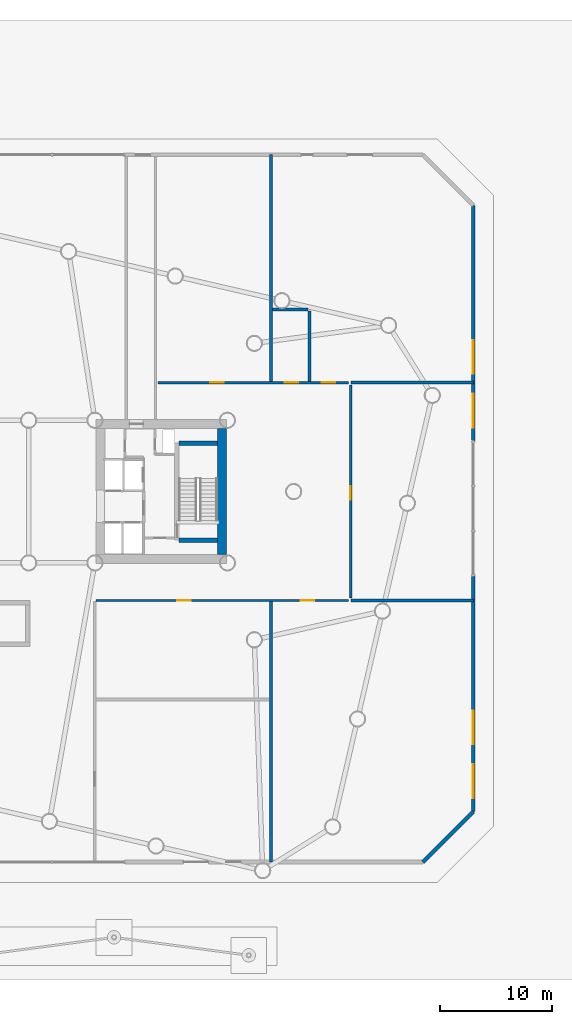
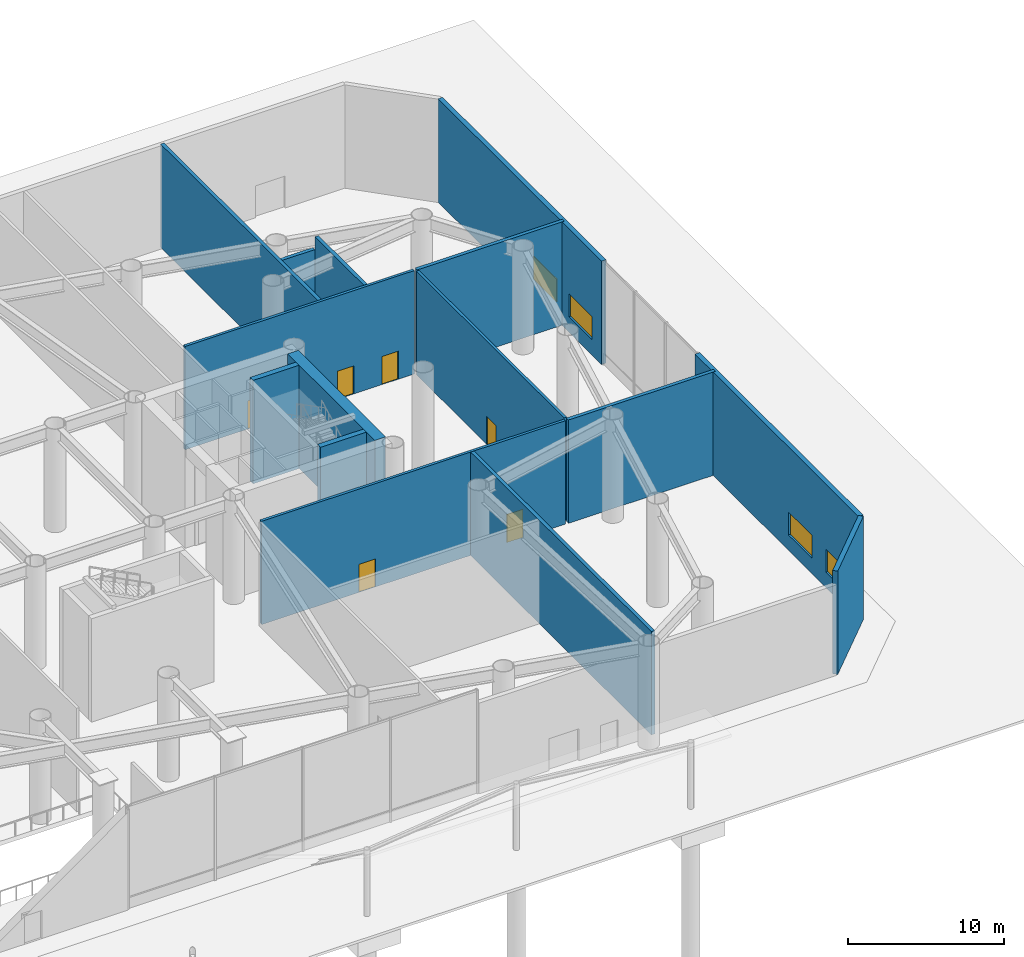
# One storey, part 23 of 28: 15 walls, 6 doors, 4 windows, 10 openings.
"""IFC4 building model written with IfcOpenShell, lengths in metres."""

from ifc_helpers import new_model, si_unit, direction, frame, frame_2d, origin, place, context, subcontext, project, spatial, rectangle, extrude, material, layer, layer_set, type_object, element, fill, save


model = new_model("IFC4")

# Units and contexts
model_context = context("Model", 3, precision=1e-05, world=origin(), true_north=direction((0.0, 1.0)))
body_context = subcontext(model_context, "Body", "Model", "MODEL_VIEW")
ifc_project = project(units=[si_unit("LENGTHUNIT", "METRE"), si_unit("AREAUNIT", "SQUARE_METRE"), si_unit("VOLUMEUNIT", "CUBIC_METRE"), si_unit("PLANEANGLEUNIT", "RADIAN"), si_unit("MASSUNIT", "GRAM", prefix="KILO")], contexts=[model_context])

# Site, building, storey
site_placement = place(None, origin())
site = spatial("IfcSite", under=ifc_project, at=site_placement, CompositionType="ELEMENT")
building_placement = place(site_placement, origin())
building = spatial("IfcBuilding", under=site, at=building_placement, Name="Tavrogorsk Clinical Tower", CompositionType="ELEMENT")
storey_placement = place(building_placement, origin())
storey = spatial("IfcBuildingStorey", under=building, at=storey_placement, Name="L00", CompositionType="ELEMENT", Elevation=0.0)

# Wall, openings, doors
ifc_material_1 = material(Name="Concrete B60", Category="concrete")
ifc_layer_1 = layer(ifc_material_1, 0.199951171875)
ifc_layer_set_1 = layer_set([ifc_layer_1], Name="Concrete B60")
wall_type_1 = type_object("IfcWallType", Name="CoreFireWall_200", PredefinedType="SOLIDWALL", material=ifc_layer_set_1)
wall_1_placement = place(storey_placement, frame((15.905029296875, 9.699951171875, 0.0), z_axis=(0.0, 0.0, 1.0), x_axis=(1.0, 0.0, 0.0)))
wall_1 = element("IfcWall", 1, at=wall_1_placement, inside=storey, type_object=wall_type_1, Name="L00 Concourse Fire Wall 05", PredefinedType="SOLIDWALL", context=body_context, shape_type="SweptSolid", body=[
    extrude(rectangle(XDim=16.989990234375, YDim=0.199951171875, at=frame_2d((8.4951171875, 0.0))), origin(), (0.0, 0.0, 1.0), 8.10009765625),
])
opening_1_placement = place(wall_1_placement, frame((4.6806640625, 0.0, 0.0)))
opening_1 = element("IfcOpeningElement", 2, at=opening_1_placement, cuts=wall_1, Name="Opening FD-01", PredefinedType="OPENING", context=body_context, shape_type="SweptSolid", body=[
    extrude(rectangle(XDim=1.199951171875, YDim=2.199951171875, at=frame_2d((0.60009765625, 1.10009765625))), frame((0.0, 0.10986328125, 0.0), z_axis=(0.0, -1.0, 0.0), x_axis=(1.0, 0.0, 0.0)), (0.0, 0.0, 1.0), 0.219970703125),
])
opening_2_placement = place(wall_1_placement, frame((11.31005859375, 0.0, 0.0)))
opening_2 = element("IfcOpeningElement", 3, at=opening_2_placement, cuts=wall_1, Name="Opening FD-01", PredefinedType="OPENING", context=body_context, shape_type="SweptSolid", body=[
    extrude(rectangle(XDim=1.199951171875, YDim=2.199951171875, at=frame_2d((0.60009765625, 1.10009765625))), frame((0.0, 0.10986328125, 0.0), z_axis=(0.0, -1.0, 0.0), x_axis=(1.0, 0.0, 0.0)), (0.0, 0.0, 1.0), 0.219970703125),
])
opening_3_placement = place(wall_1_placement, frame((14.609375, 0.0, 0.0)))
opening_3 = element("IfcOpeningElement", 4, at=opening_3_placement, cuts=wall_1, Name="Opening FD-01", PredefinedType="OPENING", context=body_context, shape_type="SweptSolid", body=[
    extrude(rectangle(XDim=1.199951171875, YDim=2.199951171875, at=frame_2d((0.60009765625, 1.10009765625))), frame((0.0, 0.10986328125, 0.0), z_axis=(0.0, -1.0, 0.0), x_axis=(1.0, 0.0, 0.0)), (0.0, 0.0, 1.0), 0.219970703125),
])
ifc_material_2 = material(Name="Galvanised steel fire-rated door assembly", Category="steel")
door_type = type_object("IfcDoorType", Name="FireDoor_FD01_1200", OperationType="NOTDEFINED", PredefinedType="DOOR", material=ifc_material_2)
door_1_placement = place(opening_1_placement, origin())
door_1 = element("IfcDoor", 5, at=door_1_placement, inside=storey, type_object=door_type, Name="L00 Public Wintergarden Cafe & Waiting Entry Door", OperationType="SINGLE_SWING_RIGHT", OverallHeight=2.199951171875, OverallWidth=1.199951171875, PredefinedType="DOOR", context=body_context, shape_type="SweptSolid", body=[
    extrude(rectangle(XDim=1.199951171875, YDim=2.199951171875, at=frame_2d((0.60009765625, 1.10009765625))), frame((0.0, 0.02490234375, 0.0), z_axis=(0.0, -1.0, 0.0), x_axis=(1.0, 0.0, 0.0)), (0.0, 0.0, 1.0), 0.050048828125),
])
fill(opening_1, door_1)
door_2_placement = place(opening_2_placement, origin())
door_2 = element("IfcDoor", 6, at=door_2_placement, inside=storey, type_object=door_type, Name="L00 Accessible Public Lavatory Entry Door", OperationType="SINGLE_SWING_LEFT", OverallHeight=2.199951171875, OverallWidth=1.199951171875, PredefinedType="DOOR", context=body_context, shape_type="SweptSolid", body=[
    extrude(rectangle(XDim=1.199951171875, YDim=2.199951171875, at=frame_2d((0.60009765625, 1.10009765625))), frame((0.0, 0.02490234375, 0.0), z_axis=(0.0, -1.0, 0.0), x_axis=(1.0, 0.0, 0.0)), (0.0, 0.0, 1.0), 0.050048828125),
])
fill(opening_2, door_2)
door_3_placement = place(opening_3_placement, origin())
door_3 = element("IfcDoor", 7, at=door_3_placement, inside=storey, type_object=door_type, Name="L00 Visitor Cloakroom & Wheelchairs Entry Door", OperationType="SINGLE_SWING_RIGHT", OverallHeight=2.199951171875, OverallWidth=1.199951171875, PredefinedType="DOOR", context=body_context, shape_type="SweptSolid", body=[
    extrude(rectangle(XDim=1.199951171875, YDim=2.199951171875, at=frame_2d((0.60009765625, 1.10009765625))), frame((0.0, 0.02490234375, 0.0), z_axis=(0.0, -1.0, 0.0), x_axis=(1.0, 0.0, 0.0)), (0.0, 0.0, 1.0), 0.050048828125),
])
fill(opening_3, door_3)

# Wall, opening, door
wall_2_placement = place(storey_placement, frame((33.080078125, 9.485107421875, 0.0), z_axis=(0.0, 0.0, 1.0), x_axis=(0.0, -1.0, 0.0)))
wall_2 = element("IfcWall", 8, at=wall_2_placement, inside=storey, type_object=wall_type_1, Name="L00 Concourse Fire Wall 06", PredefinedType="SOLIDWALL", context=body_context, shape_type="SweptSolid", body=[
    extrude(rectangle(XDim=18.97021484375, YDim=0.199951171875, at=frame_2d((9.485107421875, 0.0))), origin(), (0.0, 0.0, 1.0), 8.10009765625),
])
opening_4_placement = place(wall_2_placement, frame((9.02001953125, 0.0, 0.0)))
opening_4 = element("IfcOpeningElement", 9, at=opening_4_placement, cuts=wall_2, Name="Opening FD-01", PredefinedType="OPENING", context=body_context, shape_type="SweptSolid", body=[
    extrude(rectangle(XDim=1.199951171875, YDim=2.199951171875, at=frame_2d((0.60009765625, 1.10009765625))), frame((0.0, 0.10986328125, 0.0), z_axis=(0.0, -1.0, 0.0), x_axis=(1.0, 0.0, 0.0)), (0.0, 0.0, 1.0), 0.219970703125),
])
door_4_placement = place(opening_4_placement, origin())
door_4 = element("IfcDoor", 10, at=door_4_placement, inside=storey, type_object=door_type, Name="L00 Patient Registration & Admissions Suite Entry Door", OperationType="SINGLE_SWING_RIGHT", OverallHeight=2.199951171875, OverallWidth=1.199951171875, PredefinedType="DOOR", context=body_context, shape_type="SweptSolid", body=[
    extrude(rectangle(XDim=1.199951171875, YDim=2.199951171875, at=frame_2d((0.60009765625, 1.10009765625))), frame((0.0, 0.02490234375, 0.0), z_axis=(0.0, -1.0, 0.0), x_axis=(1.0, 0.0, 0.0)), (0.0, 0.0, 1.0), 0.050048828125),
])
fill(opening_4, door_4)

# Wall, openings, doors
wall_3_placement = place(storey_placement, frame((32.89501953125, -9.699951171875, 0.0), z_axis=(0.0, 0.0, 1.0), x_axis=(-1.0, 0.0, 0.0)))
wall_3 = element("IfcWall", 11, at=wall_3_placement, inside=storey, type_object=wall_type_1, Name="L00 Concourse Fire Wall 07", PredefinedType="SOLIDWALL", context=body_context, shape_type="SweptSolid", body=[
    extrude(rectangle(XDim=22.510009765625, YDim=0.199951171875, at=frame_2d((11.2548828125, 0.0))), origin(), (0.0, 0.0, 1.0), 8.10009765625),
])
opening_5_placement = place(wall_3_placement, frame((14.079345703125, 0.0, 0.0)))
opening_5 = element("IfcOpeningElement", 12, at=opening_5_placement, cuts=wall_3, Name="Opening FD-01", PredefinedType="OPENING", context=body_context, shape_type="SweptSolid", body=[
    extrude(rectangle(XDim=1.199951171875, YDim=2.199951171875, at=frame_2d((0.60009765625, 1.10009765625))), frame((0.0, 0.10986328125, 0.0), z_axis=(0.0, -1.0, 0.0), x_axis=(1.0, 0.0, 0.0)), (0.0, 0.0, 1.0), 0.219970703125),
])
opening_6_placement = place(wall_3_placement, frame((3.08056640625, 0.0, 0.0)))
opening_6 = element("IfcOpeningElement", 13, at=opening_6_placement, cuts=wall_3, Name="Opening FD-01", PredefinedType="OPENING", context=body_context, shape_type="SweptSolid", body=[
    extrude(rectangle(XDim=1.199951171875, YDim=2.199951171875, at=frame_2d((0.60009765625, 1.10009765625))), frame((0.0, 0.10986328125, 0.0), z_axis=(0.0, -1.0, 0.0), x_axis=(1.0, 0.0, 0.0)), (0.0, 0.0, 1.0), 0.219970703125),
])
door_5_placement = place(opening_5_placement, origin())
door_5 = element("IfcDoor", 14, at=door_5_placement, inside=storey, type_object=door_type, Name="L00 Central Fire Command & Life-Safety Post Entry Door", OperationType="SINGLE_SWING_LEFT", OverallHeight=2.199951171875, OverallWidth=1.199951171875, PredefinedType="DOOR", context=body_context, shape_type="SweptSolid", body=[
    extrude(rectangle(XDim=1.199951171875, YDim=2.199951171875, at=frame_2d((0.60009765625, 1.10009765625))), frame((0.0, 0.02490234375, 0.0), z_axis=(0.0, -1.0, 0.0), x_axis=(1.0, 0.0, 0.0)), (0.0, 0.0, 1.0), 0.050048828125),
])
fill(opening_5, door_5)
door_6_placement = place(opening_6_placement, origin())
door_6 = element("IfcDoor", 15, at=door_6_placement, inside=storey, type_object=door_type, Name="L00 Heated Ambulance Triage & Decontamination Entry Door", OperationType="SINGLE_SWING_RIGHT", OverallHeight=2.199951171875, OverallWidth=1.199951171875, PredefinedType="DOOR", context=body_context, shape_type="SweptSolid", body=[
    extrude(rectangle(XDim=1.199951171875, YDim=2.199951171875, at=frame_2d((0.60009765625, 1.10009765625))), frame((0.0, 0.02490234375, 0.0), z_axis=(0.0, -1.0, 0.0), x_axis=(1.0, 0.0, 0.0)), (0.0, 0.0, 1.0), 0.050048828125),
])
fill(opening_6, door_6)

# Wall
ifc_material_3 = material(Name="Precast concrete B45 with limestone cladding", Category="masonry")
ifc_layer_2 = layer(ifc_material_3, 0.340087890625)
ifc_layer_set_2 = layer_set([ifc_layer_2], Name="Precast concrete B45 with limestone cladding")
wall_type_2 = type_object("IfcWallType", Name="PrecastLimestoneWall_340", PredefinedType="STANDARD", material=ifc_layer_set_2)
wall_4_placement = place(storey_placement, frame((39.5, -33.0, 0.0), z_axis=(0.0, 0.0, 1.0), x_axis=(0.707106781187, 0.707106781187, 0.0)))
element("IfcWall", 16, at=wall_4_placement, inside=storey, type_object=wall_type_2, Name="L00 Limestone Lobby Wall 2-1", PredefinedType="STANDARD", context=body_context, shape_type="SweptSolid", body=[
    extrude(rectangle(XDim=6.364013671875, YDim=0.340087890625, at=frame_2d((3.18212890625, 0.0))), origin(), (0.0, 0.0, 1.0), 8.10009765625),
])

# Wall, openings, windows
wall_5_placement = place(storey_placement, frame((44.0, -28.5, 0.0), z_axis=(0.0, 0.0, 1.0), x_axis=(0.0, 1.0, 0.0)))
wall_5 = element("IfcWall", 17, at=wall_5_placement, inside=storey, type_object=wall_type_2, Name="L00 Limestone Lobby Wall 3-1", PredefinedType="STANDARD", context=body_context, shape_type="SweptSolid", body=[
    extrude(rectangle(XDim=21.0, YDim=0.340087890625, at=frame_2d((10.5, 0.0))), origin(), (0.0, 0.0, 1.0), 8.10009765625),
])
opening_7_placement = place(wall_5_placement, frame((1.199951171875, 0.0, 1.199951171875)))
opening_7 = element("IfcOpeningElement", 18, at=opening_7_placement, cuts=wall_5, Name="Opening WN-08", PredefinedType="OPENING", context=body_context, shape_type="SweptSolid", body=[
    extrude(rectangle(XDim=3.0, YDim=1.800048828125, at=frame_2d((1.5, 0.89990234375))), frame((0.0, 0.179931640625, 0.0), z_axis=(0.0, -1.0, 0.0), x_axis=(1.0, 0.0, 0.0)), (0.0, 0.0, 1.0), 0.360107421875),
])
opening_8_placement = place(wall_5_placement, frame((6.0, 0.0, 1.199951171875)))
opening_8 = element("IfcOpeningElement", 19, at=opening_8_placement, cuts=wall_5, Name="Opening WN-08", PredefinedType="OPENING", context=body_context, shape_type="SweptSolid", body=[
    extrude(rectangle(XDim=3.0, YDim=1.800048828125, at=frame_2d((1.5, 0.89990234375))), frame((0.0, 0.179931640625, 0.0), z_axis=(0.0, -1.0, 0.0), x_axis=(1.0, 0.0, 0.0)), (0.0, 0.0, 1.0), 0.360107421875),
])
ifc_material_4 = material(Name="Thermally broken aluminium frame and triple IGU", Category="aluminium")
window_type = type_object("IfcWindowType", Name="PodiumClerestory_3000x1800", PartitioningType="TRIPLE_PANEL_HORIZONTAL", PredefinedType="WINDOW", material=ifc_material_4)
window_1_placement = place(opening_7_placement, origin())
window_1 = element("IfcWindow", 20, at=window_1_placement, inside=storey, type_object=window_type, Name="L00 Clerestory Window 3-1-1", OverallHeight=1.800048828125, OverallWidth=3.0, PartitioningType="SINGLE_PANEL", PredefinedType="WINDOW", context=body_context, shape_type="SweptSolid", body=[
    extrude(rectangle(XDim=3.0, YDim=1.800048828125, at=frame_2d((1.5, 0.89990234375))), frame((0.0, 0.030029296875, 0.0), z_axis=(0.0, -1.0, 0.0), x_axis=(1.0, 0.0, 0.0)), (0.0, 0.0, 1.0), 0.06005859375),
])
fill(opening_7, window_1)
window_2_placement = place(opening_8_placement, origin())
window_2 = element("IfcWindow", 21, at=window_2_placement, inside=storey, type_object=window_type, Name="L00 Clerestory Window 3-1-2", OverallHeight=1.800048828125, OverallWidth=3.0, PartitioningType="SINGLE_PANEL", PredefinedType="WINDOW", context=body_context, shape_type="SweptSolid", body=[
    extrude(rectangle(XDim=3.0, YDim=1.800048828125, at=frame_2d((1.5, 0.89990234375))), frame((0.0, 0.030029296875, 0.0), z_axis=(0.0, -1.0, 0.0), x_axis=(1.0, 0.0, 0.0)), (0.0, 0.0, 1.0), 0.06005859375),
])
fill(opening_8, window_2)

wall_6_placement = place(storey_placement, frame((44.0, 4.5, 0.0), z_axis=(0.0, 0.0, 1.0), x_axis=(0.0, 1.0, 0.0)))
wall_6 = element("IfcWall", 22, at=wall_6_placement, inside=storey, type_object=wall_type_2, Name="L00 Limestone Lobby Wall 3-2", PredefinedType="STANDARD", context=body_context, shape_type="SweptSolid", body=[
    extrude(rectangle(XDim=21.0, YDim=0.340087890625, at=frame_2d((10.5, 0.0))), origin(), (0.0, 0.0, 1.0), 8.10009765625),
])
opening_9_placement = place(wall_6_placement, frame((1.199951171875, 0.0, 1.199951171875)))
opening_9 = element("IfcOpeningElement", 23, at=opening_9_placement, cuts=wall_6, Name="Opening WN-08", PredefinedType="OPENING", context=body_context, shape_type="SweptSolid", body=[
    extrude(rectangle(XDim=3.0, YDim=1.800048828125, at=frame_2d((1.5, 0.89990234375))), frame((0.0, 0.179931640625, 0.0), z_axis=(0.0, -1.0, 0.0), x_axis=(1.0, 0.0, 0.0)), (0.0, 0.0, 1.0), 0.360107421875),
])
opening_10_placement = place(wall_6_placement, frame((6.0, 0.0, 1.199951171875)))
opening_10 = element("IfcOpeningElement", 24, at=opening_10_placement, cuts=wall_6, Name="Opening WN-08", PredefinedType="OPENING", context=body_context, shape_type="SweptSolid", body=[
    extrude(rectangle(XDim=3.0, YDim=1.800048828125, at=frame_2d((1.5, 0.89990234375))), frame((0.0, 0.179931640625, 0.0), z_axis=(0.0, -1.0, 0.0), x_axis=(1.0, 0.0, 0.0)), (0.0, 0.0, 1.0), 0.360107421875),
])
window_3_placement = place(opening_9_placement, origin())
window_3 = element("IfcWindow", 25, at=window_3_placement, inside=storey, type_object=window_type, Name="L00 Clerestory Window 3-2-1", OverallHeight=1.800048828125, OverallWidth=3.0, PartitioningType="SINGLE_PANEL", PredefinedType="WINDOW", context=body_context, shape_type="SweptSolid", body=[
    extrude(rectangle(XDim=3.0, YDim=1.800048828125, at=frame_2d((1.5, 0.89990234375))), frame((0.0, 0.030029296875, 0.0), z_axis=(0.0, -1.0, 0.0), x_axis=(1.0, 0.0, 0.0)), (0.0, 0.0, 1.0), 0.06005859375),
])
fill(opening_9, window_3)
window_4_placement = place(opening_10_placement, origin())
window_4 = element("IfcWindow", 26, at=window_4_placement, inside=storey, type_object=window_type, Name="L00 Clerestory Window 3-2-2", OverallHeight=1.800048828125, OverallWidth=3.0, PartitioningType="SINGLE_PANEL", PredefinedType="WINDOW", context=body_context, shape_type="SweptSolid", body=[
    extrude(rectangle(XDim=3.0, YDim=1.800048828125, at=frame_2d((1.5, 0.89990234375))), frame((0.0, 0.030029296875, 0.0), z_axis=(0.0, -1.0, 0.0), x_axis=(1.0, 0.0, 0.0)), (0.0, 0.0, 1.0), 0.06005859375),
])
fill(opening_10, window_4)

# Walls
ifc_material_5 = material(Name="Concrete B60 radiation-shielded wall", Category="concrete")
ifc_layer_3 = layer(ifc_material_5, 0.260009765625)
ifc_layer_set_3 = layer_set([ifc_layer_3], Name="Concrete B60 radiation-shielded wall")
wall_type_3 = type_object("IfcWallType", Name="RadiationLeadWall_260", PredefinedType="SOLIDWALL", material=ifc_layer_set_3)
for number, where, z_axis, x_axis, name in (
    (27, (33.10498046875, -9.699951171875, 0.0), (0.0, 0.0, 1.0), (1.0, 0.0, 0.0), "L00 Ground Partition Wall 2"),
    (28, (33.10498046875, 9.699951171875, 0.0), (0.0, 0.0, 1.0), (1.0, 0.0, 0.0), "L00 Ground Partition Wall 4"),
):
    element("IfcWall", number, at=place(storey_placement, frame(where, z_axis=z_axis, x_axis=x_axis)), inside=storey, type_object=wall_type_3, Name=name, PredefinedType="SOLIDWALL", context=body_context, shape_type="SweptSolid", body=[
        extrude(rectangle(XDim=10.89501953125, YDim=0.260009765625, at=frame_2d((5.447509765625, 0.0))), origin(), (0.0, 0.0, 1.0), 8.10009765625),
    ])
wall_7_placement = place(storey_placement, frame((26.0, -33.0, 0.0), z_axis=(0.0, 0.0, 1.0), x_axis=(0.0, 1.0, 0.0)))
element("IfcWall", 29, at=wall_7_placement, inside=storey, type_object=wall_type_3, Name="L00 Ground Partition Wall 6", PredefinedType="SOLIDWALL", context=body_context, shape_type="SweptSolid", body=[
    extrude(rectangle(XDim=23.195068359375, YDim=0.260009765625, at=frame_2d((11.59765625, 0.0))), origin(), (0.0, 0.0, 1.0), 8.10009765625),
])
wall_8_placement = place(storey_placement, frame((26.0, 9.804931640625, 0.0), z_axis=(0.0, 0.0, 1.0), x_axis=(0.0, 1.0, 0.0)))
element("IfcWall", 30, at=wall_8_placement, inside=storey, type_object=wall_type_3, Name="L00 Ground Partition Wall 8", PredefinedType="SOLIDWALL", context=body_context, shape_type="SweptSolid", body=[
    extrude(rectangle(XDim=20.195068359375, YDim=0.260009765625, at=frame_2d((10.09765625, 0.0))), origin(), (0.0, 0.0, 1.0), 8.10009765625),
])
wall_9_placement = place(storey_placement, frame((29.39990234375, 9.804931640625, 0.0), z_axis=(0.0, 0.0, 1.0), x_axis=(0.0, 1.0, 0.0)))
element("IfcWall", 31, at=wall_9_placement, inside=storey, type_object=wall_type_3, Name="L00 Ground Partition Wall 9", PredefinedType="SOLIDWALL", context=body_context, shape_type="SweptSolid", body=[
    extrude(rectangle(XDim=6.260009765625, YDim=0.260009765625, at=frame_2d((3.1298828125, 0.0))), origin(), (0.0, 0.0, 1.0), 8.10009765625),
])
wall_10_placement = place(storey_placement, frame((26.135009765625, 16.199951171875, 0.0), z_axis=(0.0, 0.0, 1.0), x_axis=(1.0, 0.0, 0.0)))
element("IfcWall", 32, at=wall_10_placement, inside=storey, type_object=wall_type_3, Name="L00 Ground Partition Wall 10", PredefinedType="SOLIDWALL", context=body_context, shape_type="SweptSolid", body=[
    extrude(rectangle(XDim=3.1298828125, YDim=0.260009765625, at=frame_2d((1.56494140625, 0.0))), origin(), (0.0, 0.0, 1.0), 7.094970703125),
])
ifc_material_6 = material(Name="Concrete B80", Category="concrete")
ifc_layer_4 = layer(ifc_material_6, 0.39990234375)
ifc_layer_set_4 = layer_set([ifc_layer_4], Name="Concrete B80")
wall_type_4 = type_object("IfcWallType", Name="ShearWall_400", PredefinedType="SHEAR", material=ifc_layer_set_4)
for number, where, z_axis, x_axis, name in (
    (33, (17.800048828125, -4.324951171875, 0.0), (0.0, 0.0, 1.0), (1.0, 0.0, 0.0), "L00 Core East Stair Shaft South Shear Wall"),
    (34, (17.800048828125, 4.324951171875, 0.0), (0.0, 0.0, 1.0), (1.0, 0.0, 0.0), "L00 Core East Stair Shaft North Shear Wall"),
):
    element("IfcWall", number, at=place(storey_placement, frame(where, z_axis=z_axis, x_axis=x_axis)), inside=storey, type_object=wall_type_4, Name=name, PredefinedType="SHEAR", context=body_context, shape_type="SweptSolid", body=[
        extrude(rectangle(XDim=3.39990234375, YDim=0.39990234375, at=frame_2d((1.699951171875, 0.0))), origin(), (0.0, 0.0, 1.0), 8.10009765625),
    ])
ifc_material_7 = material(Name="Concrete B80", Category="concrete")
ifc_layer_5 = layer(ifc_material_7, 0.800048828125)
ifc_layer_set_5 = layer_set([ifc_layer_5], Name="Concrete B80")
wall_type_5 = type_object("IfcWallType", Name="ShearWall_800", PredefinedType="SHEAR", material=ifc_layer_set_5)
wall_11_placement = place(storey_placement, frame((21.60009765625, -5.60009765625, 0.0), z_axis=(0.0, 0.0, 1.0), x_axis=(0.0, 1.0, 0.0)))
element("IfcWall", 35, at=wall_11_placement, inside=storey, type_object=wall_type_5, Name="L00 Core East End Shear Wall", PredefinedType="SHEAR", context=body_context, shape_type="SweptSolid", body=[
    extrude(rectangle(XDim=11.2001953125, YDim=0.800048828125, at=frame_2d((5.60009765625, 0.0))), origin(), (0.0, 0.0, 1.0), 8.10009765625),
])

save(model, "model.ifc")
